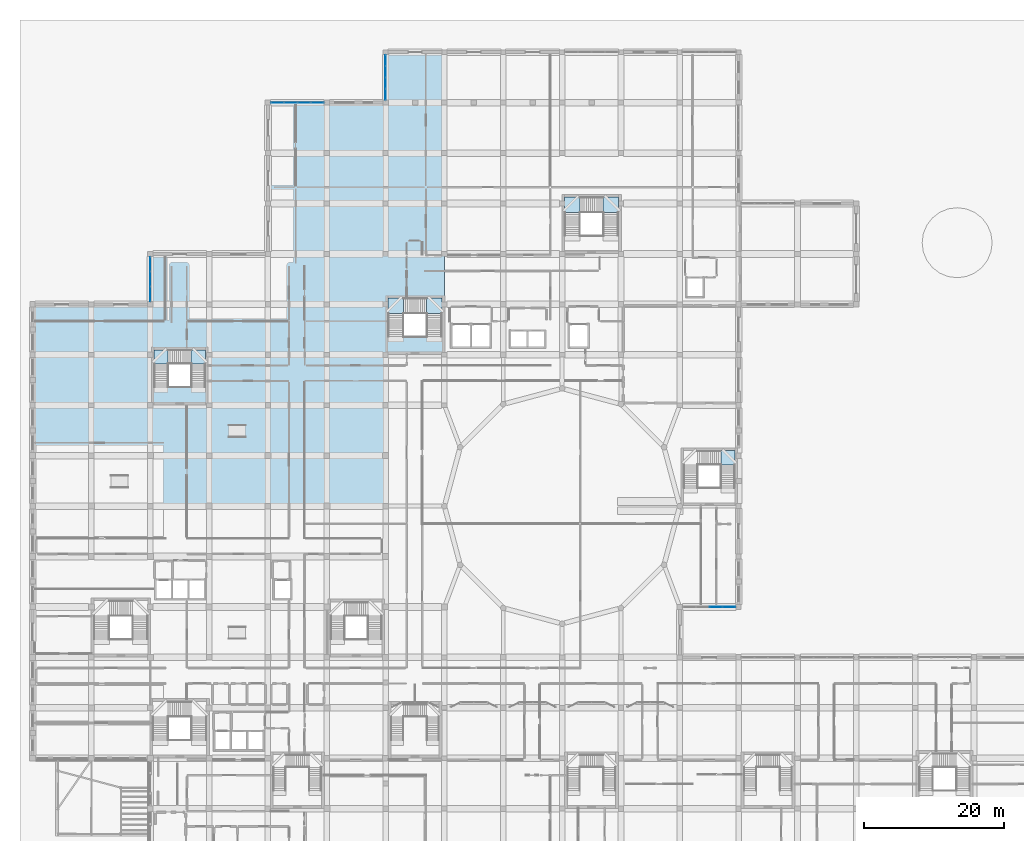
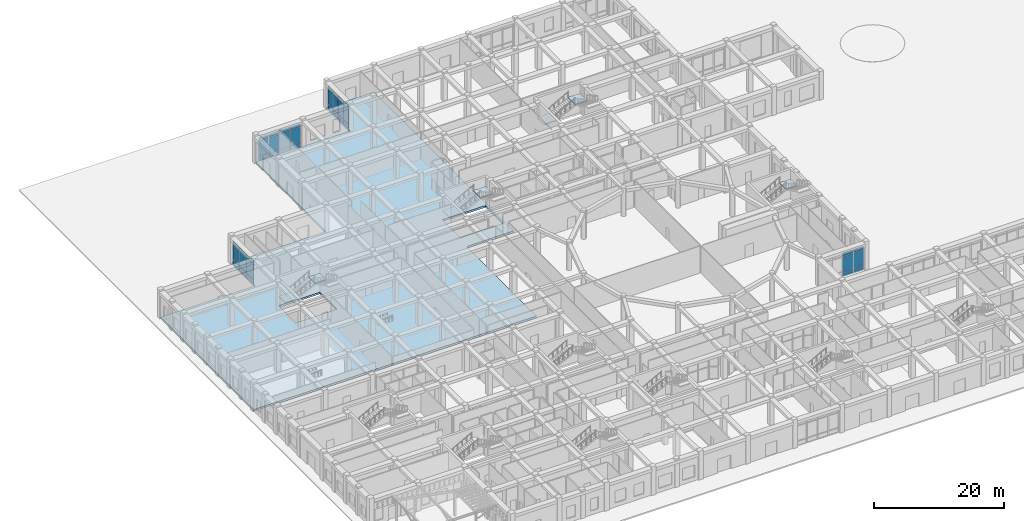
# One storey, part 55 of 84: 39 plates, 8 slabs, 8 elements without a shape of their own.
"""IFC4 building model written with IfcOpenShell, lengths in metres."""

from ifc_helpers import new_model, si_unit, derived_unit, direction, frame, origin, origin_2d, place, context, subcontext, project, spatial, polyline, rectangle, outline, extrude, material, layer, layer_set, type_object, element, aggregate, save


model = new_model("IFC4")

# Units and contexts
model_context = context("Model", 3, precision=1e-05, world=origin(), true_north=direction((0.0, 1.0)))
body_context = subcontext(model_context, "Body", "Model", "MODEL_VIEW")
ifc_project = project(units=[si_unit("LENGTHUNIT", "METRE"), si_unit("AREAUNIT", "SQUARE_METRE"), si_unit("VOLUMEUNIT", "CUBIC_METRE"), si_unit("PLANEANGLEUNIT", "RADIAN"), si_unit("MASSUNIT", "GRAM", prefix="KILO"), derived_unit("THERMALTRANSMITTANCEUNIT", [(si_unit("POWERUNIT", "WATT"), 1), (si_unit("LENGTHUNIT", "METRE"), -2), (si_unit("THERMODYNAMICTEMPERATUREUNIT", "KELVIN"), -1)])], contexts=[model_context])

# Site, building, storey
site_placement = place(None, origin())
site = spatial("IfcSite", under=ifc_project, at=site_placement, CompositionType="ELEMENT")
building_placement = place(site_placement, origin())
building = spatial("IfcBuilding", under=site, at=building_placement, Name="Veybourne Emporium", CompositionType="ELEMENT")
storey_placement = place(building_placement, origin())
storey = spatial("IfcBuildingStorey", under=building, at=storey_placement, Name="L00", CompositionType="ELEMENT", Elevation=0.0)

# Curtain wall, plates
ifc_material_1 = material(Name="Patinated Architectural Bronze", Category="bronze")
curtain_wall_type_1 = type_object("IfcCurtainWallType", Name="CWSystem_CWS-01", PredefinedType="NOTDEFINED", material=ifc_material_1)
curtain_wall_1_placement = place(storey_placement, origin())
curtain_wall_1 = element("IfcCurtainWall", 1, at=curtain_wall_1_placement, inside=storey, type_object=curtain_wall_type_1, Name="L00 bronze glazed curtain wall CWS-01 (018)", PredefinedType="NOTDEFINED")
ifc_material_2 = material(Name="Solar Control Laminated Glass", Category="glass")
ifc_layer_1 = layer(ifc_material_2, 0.035888671875)
ifc_layer_set_1 = layer_set([ifc_layer_1], Name="Solar Control Laminated Glass")
plate_type = type_object("IfcPlateType", Name="CWPanel_CW-P2", PredefinedType="CURTAIN_PANEL", material=ifc_layer_set_1)
plate_1_placement = place(storey_placement, frame((16.800048828125, 80.66796875, 0.072021484375), z_axis=(0.0, 0.0, 1.0), x_axis=(0.0, 1.0, 0.0)))
plate_1 = element("IfcPlate", 2, at=plate_1_placement, type_object=plate_type, Name="CWS-01 panel 1.1", PredefinedType="CURTAIN_PANEL", context=body_context, shape_type="SweptSolid", body=[
    extrude(rectangle(XDim=2.0419921875, YDim=0.035888671875, at=origin_2d()), origin(), (0.0, 0.0, 1.0), 0.7919921875),
])
plate_2_placement = place(storey_placement, frame((16.800048828125, 80.66796875, 0.93603515625), z_axis=(0.0, 0.0, 1.0), x_axis=(0.0, 1.0, 0.0)))
plate_2 = element("IfcPlate", 3, at=plate_2_placement, type_object=plate_type, Name="CWS-01 panel 1.2", PredefinedType="CURTAIN_PANEL", context=body_context, shape_type="SweptSolid", body=[
    extrude(rectangle(XDim=2.0419921875, YDim=0.035888671875, at=origin_2d()), origin(), (0.0, 0.0, 1.0), 2.80810546875),
])
plate_3_placement = place(storey_placement, frame((16.800048828125, 80.66796875, 3.81591796875), z_axis=(0.0, 0.0, 1.0), x_axis=(0.0, 1.0, 0.0)))
plate_3 = element("IfcPlate", 4, at=plate_3_placement, type_object=plate_type, Name="CWS-01 panel 1.3", PredefinedType="CURTAIN_PANEL", context=body_context, shape_type="SweptSolid", body=[
    extrude(rectangle(XDim=2.0419921875, YDim=0.035888671875, at=origin_2d()), origin(), (0.0, 0.0, 1.0), 0.64208984375),
])
plate_4_placement = place(storey_placement, frame((16.800048828125, 82.800048828125, 0.072021484375), z_axis=(0.0, 0.0, 1.0), x_axis=(0.0, 1.0, 0.0)))
plate_4 = element("IfcPlate", 5, at=plate_4_placement, type_object=plate_type, Name="CWS-01 panel 2.1", PredefinedType="CURTAIN_PANEL", context=body_context, shape_type="SweptSolid", body=[
    extrude(rectangle(XDim=2.077880859375, YDim=0.035888671875, at=origin_2d()), origin(), (0.0, 0.0, 1.0), 0.7919921875),
])
plate_5_placement = place(storey_placement, frame((16.800048828125, 82.800048828125, 0.93603515625), z_axis=(0.0, 0.0, 1.0), x_axis=(0.0, 1.0, 0.0)))
plate_5 = element("IfcPlate", 6, at=plate_5_placement, type_object=plate_type, Name="CWS-01 panel 2.2", PredefinedType="CURTAIN_PANEL", context=body_context, shape_type="SweptSolid", body=[
    extrude(rectangle(XDim=2.077880859375, YDim=0.035888671875, at=origin_2d()), origin(), (0.0, 0.0, 1.0), 2.80810546875),
])
plate_6_placement = place(storey_placement, frame((16.800048828125, 82.800048828125, 3.81591796875), z_axis=(0.0, 0.0, 1.0), x_axis=(0.0, 1.0, 0.0)))
plate_6 = element("IfcPlate", 7, at=plate_6_placement, type_object=plate_type, Name="CWS-01 panel 2.3", PredefinedType="CURTAIN_PANEL", context=body_context, shape_type="SweptSolid", body=[
    extrude(rectangle(XDim=2.077880859375, YDim=0.035888671875, at=origin_2d()), origin(), (0.0, 0.0, 1.0), 0.64208984375),
])
plate_7_placement = place(storey_placement, frame((16.800048828125, 84.931884765625, 0.072021484375), z_axis=(0.0, 0.0, 1.0), x_axis=(0.0, 1.0, 0.0)))
plate_7 = element("IfcPlate", 8, at=plate_7_placement, type_object=plate_type, Name="CWS-01 panel 3.1", PredefinedType="CURTAIN_PANEL", context=body_context, shape_type="SweptSolid", body=[
    extrude(rectangle(XDim=2.0419921875, YDim=0.035888671875, at=origin_2d()), origin(), (0.0, 0.0, 1.0), 0.7919921875),
])
plate_8_placement = place(storey_placement, frame((16.800048828125, 84.931884765625, 0.93603515625), z_axis=(0.0, 0.0, 1.0), x_axis=(0.0, 1.0, 0.0)))
plate_8 = element("IfcPlate", 9, at=plate_8_placement, type_object=plate_type, Name="CWS-01 panel 3.2", PredefinedType="CURTAIN_PANEL", context=body_context, shape_type="SweptSolid", body=[
    extrude(rectangle(XDim=2.0419921875, YDim=0.035888671875, at=origin_2d()), origin(), (0.0, 0.0, 1.0), 2.80810546875),
])
plate_9_placement = place(storey_placement, frame((16.800048828125, 84.931884765625, 3.81591796875), z_axis=(0.0, 0.0, 1.0), x_axis=(0.0, 1.0, 0.0)))
plate_9 = element("IfcPlate", 10, at=plate_9_placement, type_object=plate_type, Name="CWS-01 panel 3.3", PredefinedType="CURTAIN_PANEL", context=body_context, shape_type="SweptSolid", body=[
    extrude(rectangle(XDim=2.0419921875, YDim=0.035888671875, at=origin_2d()), origin(), (0.0, 0.0, 1.0), 0.64208984375),
])
aggregate(curtain_wall_1, [plate_1, plate_2, plate_3, plate_4, plate_5, plate_6, plate_7, plate_8, plate_9])

curtain_wall_type_2 = type_object("IfcCurtainWallType", Name="CWSystem_CWS-02", PredefinedType="NOTDEFINED", material=ifc_material_1)
curtain_wall_2_placement = place(storey_placement, origin())
curtain_wall_2 = element("IfcCurtainWall", 11, at=curtain_wall_2_placement, inside=storey, type_object=curtain_wall_type_2, Name="L00 bronze glazed curtain wall CWS-02 (024)", PredefinedType="NOTDEFINED")
plate_10_placement = place(storey_placement, frame((34.961181640625, 108.0, 0.074951171875), z_axis=(0.0, 0.0, 1.0), x_axis=(1.0, 0.0, 0.0)))
plate_10 = element("IfcPlate", 12, at=plate_10_placement, type_object=plate_type, Name="CWS-02 panel 1.1", PredefinedType="CURTAIN_PANEL", context=body_context, shape_type="SweptSolid", body=[
    extrude(rectangle(XDim=1.79248046875, YDim=0.035888671875, at=origin_2d()), origin(), (0.0, 0.0, 1.0), 0.78759765625),
])
plate_11_placement = place(storey_placement, frame((34.961181640625, 108.0, 0.9375), z_axis=(0.0, 0.0, 1.0), x_axis=(1.0, 0.0, 0.0)))
plate_11 = element("IfcPlate", 13, at=plate_11_placement, type_object=plate_type, Name="CWS-02 panel 1.2", PredefinedType="CURTAIN_PANEL", context=body_context, shape_type="SweptSolid", body=[
    extrude(rectangle(XDim=1.79248046875, YDim=0.035888671875, at=origin_2d()), origin(), (0.0, 0.0, 1.0), 2.804931640625),
])
plate_12_placement = place(storey_placement, frame((34.961181640625, 108.0, 3.8173828125), z_axis=(0.0, 0.0, 1.0), x_axis=(1.0, 0.0, 0.0)))
plate_12 = element("IfcPlate", 14, at=plate_12_placement, type_object=plate_type, Name="CWS-02 panel 1.3", PredefinedType="CURTAIN_PANEL", context=body_context, shape_type="SweptSolid", body=[
    extrude(rectangle(XDim=1.79248046875, YDim=0.035888671875, at=origin_2d()), origin(), (0.0, 0.0, 1.0), 0.637451171875),
])
plate_13_placement = place(storey_placement, frame((36.847412109375, 108.0, 0.074951171875), z_axis=(0.0, 0.0, 1.0), x_axis=(1.0, 0.0, 0.0)))
plate_13 = element("IfcPlate", 15, at=plate_13_placement, type_object=plate_type, Name="CWS-02 panel 2.1", PredefinedType="CURTAIN_PANEL", context=body_context, shape_type="SweptSolid", body=[
    extrude(rectangle(XDim=1.830078125, YDim=0.035888671875, at=origin_2d()), origin(), (0.0, 0.0, 1.0), 0.78759765625),
])
plate_14_placement = place(storey_placement, frame((36.847412109375, 108.0, 0.9375), z_axis=(0.0, 0.0, 1.0), x_axis=(1.0, 0.0, 0.0)))
plate_14 = element("IfcPlate", 16, at=plate_14_placement, type_object=plate_type, Name="CWS-02 panel 2.2", PredefinedType="CURTAIN_PANEL", context=body_context, shape_type="SweptSolid", body=[
    extrude(rectangle(XDim=1.830078125, YDim=0.035888671875, at=origin_2d()), origin(), (0.0, 0.0, 1.0), 2.804931640625),
])
plate_15_placement = place(storey_placement, frame((36.847412109375, 108.0, 3.8173828125), z_axis=(0.0, 0.0, 1.0), x_axis=(1.0, 0.0, 0.0)))
plate_15 = element("IfcPlate", 17, at=plate_15_placement, type_object=plate_type, Name="CWS-02 panel 2.3", PredefinedType="CURTAIN_PANEL", context=body_context, shape_type="SweptSolid", body=[
    extrude(rectangle(XDim=1.830078125, YDim=0.035888671875, at=origin_2d()), origin(), (0.0, 0.0, 1.0), 0.637451171875),
])
plate_16_placement = place(storey_placement, frame((38.75244140625, 108.0, 0.074951171875), z_axis=(0.0, 0.0, 1.0), x_axis=(1.0, 0.0, 0.0)))
plate_16 = element("IfcPlate", 18, at=plate_16_placement, type_object=plate_type, Name="CWS-02 panel 3.1", PredefinedType="CURTAIN_PANEL", context=body_context, shape_type="SweptSolid", body=[
    extrude(rectangle(XDim=1.830078125, YDim=0.035888671875, at=origin_2d()), origin(), (0.0, 0.0, 1.0), 0.78759765625),
])
plate_17_placement = place(storey_placement, frame((38.75244140625, 108.0, 0.9375), z_axis=(0.0, 0.0, 1.0), x_axis=(1.0, 0.0, 0.0)))
plate_17 = element("IfcPlate", 19, at=plate_17_placement, type_object=plate_type, Name="CWS-02 panel 3.2", PredefinedType="CURTAIN_PANEL", context=body_context, shape_type="SweptSolid", body=[
    extrude(rectangle(XDim=1.830078125, YDim=0.035888671875, at=origin_2d()), origin(), (0.0, 0.0, 1.0), 2.804931640625),
])
plate_18_placement = place(storey_placement, frame((38.75244140625, 108.0, 3.8173828125), z_axis=(0.0, 0.0, 1.0), x_axis=(1.0, 0.0, 0.0)))
plate_18 = element("IfcPlate", 20, at=plate_18_placement, type_object=plate_type, Name="CWS-02 panel 3.3", PredefinedType="CURTAIN_PANEL", context=body_context, shape_type="SweptSolid", body=[
    extrude(rectangle(XDim=1.830078125, YDim=0.035888671875, at=origin_2d()), origin(), (0.0, 0.0, 1.0), 0.637451171875),
])
plate_19_placement = place(storey_placement, frame((40.638671875, 108.0, 0.074951171875), z_axis=(0.0, 0.0, 1.0), x_axis=(1.0, 0.0, 0.0)))
plate_19 = element("IfcPlate", 21, at=plate_19_placement, type_object=plate_type, Name="CWS-02 panel 4.1", PredefinedType="CURTAIN_PANEL", context=body_context, shape_type="SweptSolid", body=[
    extrude(rectangle(XDim=1.79248046875, YDim=0.035888671875, at=origin_2d()), origin(), (0.0, 0.0, 1.0), 0.78759765625),
])
plate_20_placement = place(storey_placement, frame((40.638671875, 108.0, 0.9375), z_axis=(0.0, 0.0, 1.0), x_axis=(1.0, 0.0, 0.0)))
plate_20 = element("IfcPlate", 22, at=plate_20_placement, type_object=plate_type, Name="CWS-02 panel 4.2", PredefinedType="CURTAIN_PANEL", context=body_context, shape_type="SweptSolid", body=[
    extrude(rectangle(XDim=1.79248046875, YDim=0.035888671875, at=origin_2d()), origin(), (0.0, 0.0, 1.0), 2.804931640625),
])
plate_21_placement = place(storey_placement, frame((40.638671875, 108.0, 3.8173828125), z_axis=(0.0, 0.0, 1.0), x_axis=(1.0, 0.0, 0.0)))
plate_21 = element("IfcPlate", 23, at=plate_21_placement, type_object=plate_type, Name="CWS-02 panel 4.3", PredefinedType="CURTAIN_PANEL", context=body_context, shape_type="SweptSolid", body=[
    extrude(rectangle(XDim=1.79248046875, YDim=0.035888671875, at=origin_2d()), origin(), (0.0, 0.0, 1.0), 0.637451171875),
])
aggregate(curtain_wall_2, [plate_10, plate_11, plate_12, plate_13, plate_14, plate_15, plate_16, plate_17, plate_18, plate_19, plate_20, plate_21])

curtain_wall_type_3 = type_object("IfcCurtainWallType", Name="CWSystem_CWS-03", PredefinedType="NOTDEFINED", material=ifc_material_1)
curtain_wall_3_placement = place(storey_placement, origin())
curtain_wall_3 = element("IfcCurtainWall", 24, at=curtain_wall_3_placement, inside=storey, type_object=curtain_wall_type_3, Name="L00 bronze glazed curtain wall CWS-03 (030)", PredefinedType="NOTDEFINED")
plate_22_placement = place(storey_placement, frame((50.39990234375, 109.190673828125, 0.078125), z_axis=(0.0, 0.0, 1.0), x_axis=(0.0, 1.0, 0.0)))
plate_22 = element("IfcPlate", 25, at=plate_22_placement, type_object=plate_type, Name="CWS-03 panel 1.1", PredefinedType="CURTAIN_PANEL", context=body_context, shape_type="SweptSolid", body=[
    extrude(rectangle(XDim=1.505615234375, YDim=0.035888671875, at=origin_2d()), origin(), (0.0, 0.0, 1.0), 0.782958984375),
])
plate_23_placement = place(storey_placement, frame((50.39990234375, 109.190673828125, 0.93896484375), z_axis=(0.0, 0.0, 1.0), x_axis=(0.0, 1.0, 0.0)))
plate_23 = element("IfcPlate", 26, at=plate_23_placement, type_object=plate_type, Name="CWS-03 panel 1.2", PredefinedType="CURTAIN_PANEL", context=body_context, shape_type="SweptSolid", body=[
    extrude(rectangle(XDim=1.505615234375, YDim=0.035888671875, at=origin_2d()), origin(), (0.0, 0.0, 1.0), 2.802001953125),
])
plate_24_placement = place(storey_placement, frame((50.39990234375, 109.190673828125, 3.81884765625), z_axis=(0.0, 0.0, 1.0), x_axis=(0.0, 1.0, 0.0)))
plate_24 = element("IfcPlate", 27, at=plate_24_placement, type_object=plate_type, Name="CWS-03 panel 1.3", PredefinedType="CURTAIN_PANEL", context=body_context, shape_type="SweptSolid", body=[
    extrude(rectangle(XDim=1.505615234375, YDim=0.035888671875, at=origin_2d()), origin(), (0.0, 0.0, 1.0), 0.633056640625),
])
plate_25_placement = place(storey_placement, frame((50.39990234375, 110.793701171875, 0.078125), z_axis=(0.0, 0.0, 1.0), x_axis=(0.0, 1.0, 0.0)))
plate_25 = element("IfcPlate", 28, at=plate_25_placement, type_object=plate_type, Name="CWS-03 panel 2.1", PredefinedType="CURTAIN_PANEL", context=body_context, shape_type="SweptSolid", body=[
    extrude(rectangle(XDim=1.54443359375, YDim=0.035888671875, at=origin_2d()), origin(), (0.0, 0.0, 1.0), 0.782958984375),
])
plate_26_placement = place(storey_placement, frame((50.39990234375, 110.793701171875, 0.93896484375), z_axis=(0.0, 0.0, 1.0), x_axis=(0.0, 1.0, 0.0)))
plate_26 = element("IfcPlate", 29, at=plate_26_placement, type_object=plate_type, Name="CWS-03 panel 2.2", PredefinedType="CURTAIN_PANEL", context=body_context, shape_type="SweptSolid", body=[
    extrude(rectangle(XDim=1.54443359375, YDim=0.035888671875, at=origin_2d()), origin(), (0.0, 0.0, 1.0), 2.802001953125),
])
plate_27_placement = place(storey_placement, frame((50.39990234375, 110.793701171875, 3.81884765625), z_axis=(0.0, 0.0, 1.0), x_axis=(0.0, 1.0, 0.0)))
plate_27 = element("IfcPlate", 30, at=plate_27_placement, type_object=plate_type, Name="CWS-03 panel 2.3", PredefinedType="CURTAIN_PANEL", context=body_context, shape_type="SweptSolid", body=[
    extrude(rectangle(XDim=1.54443359375, YDim=0.035888671875, at=origin_2d()), origin(), (0.0, 0.0, 1.0), 0.633056640625),
])
plate_28_placement = place(storey_placement, frame((50.39990234375, 112.416259765625, 0.078125), z_axis=(0.0, 0.0, 1.0), x_axis=(0.0, 1.0, 0.0)))
plate_28 = element("IfcPlate", 31, at=plate_28_placement, type_object=plate_type, Name="CWS-03 panel 3.1", PredefinedType="CURTAIN_PANEL", context=body_context, shape_type="SweptSolid", body=[
    extrude(rectangle(XDim=1.54443359375, YDim=0.035888671875, at=origin_2d()), origin(), (0.0, 0.0, 1.0), 0.782958984375),
])
plate_29_placement = place(storey_placement, frame((50.39990234375, 112.416259765625, 0.93896484375), z_axis=(0.0, 0.0, 1.0), x_axis=(0.0, 1.0, 0.0)))
plate_29 = element("IfcPlate", 32, at=plate_29_placement, type_object=plate_type, Name="CWS-03 panel 3.2", PredefinedType="CURTAIN_PANEL", context=body_context, shape_type="SweptSolid", body=[
    extrude(rectangle(XDim=1.54443359375, YDim=0.035888671875, at=origin_2d()), origin(), (0.0, 0.0, 1.0), 2.802001953125),
])
plate_30_placement = place(storey_placement, frame((50.39990234375, 112.416259765625, 3.81884765625), z_axis=(0.0, 0.0, 1.0), x_axis=(0.0, 1.0, 0.0)))
plate_30 = element("IfcPlate", 33, at=plate_30_placement, type_object=plate_type, Name="CWS-03 panel 3.3", PredefinedType="CURTAIN_PANEL", context=body_context, shape_type="SweptSolid", body=[
    extrude(rectangle(XDim=1.54443359375, YDim=0.035888671875, at=origin_2d()), origin(), (0.0, 0.0, 1.0), 0.633056640625),
])
plate_31_placement = place(storey_placement, frame((50.39990234375, 114.019287109375, 0.078125), z_axis=(0.0, 0.0, 1.0), x_axis=(0.0, 1.0, 0.0)))
plate_31 = element("IfcPlate", 34, at=plate_31_placement, type_object=plate_type, Name="CWS-03 panel 4.1", PredefinedType="CURTAIN_PANEL", context=body_context, shape_type="SweptSolid", body=[
    extrude(rectangle(XDim=1.505615234375, YDim=0.035888671875, at=origin_2d()), origin(), (0.0, 0.0, 1.0), 0.782958984375),
])
plate_32_placement = place(storey_placement, frame((50.39990234375, 114.019287109375, 0.93896484375), z_axis=(0.0, 0.0, 1.0), x_axis=(0.0, 1.0, 0.0)))
plate_32 = element("IfcPlate", 35, at=plate_32_placement, type_object=plate_type, Name="CWS-03 panel 4.2", PredefinedType="CURTAIN_PANEL", context=body_context, shape_type="SweptSolid", body=[
    extrude(rectangle(XDim=1.505615234375, YDim=0.035888671875, at=origin_2d()), origin(), (0.0, 0.0, 1.0), 2.802001953125),
])
plate_33_placement = place(storey_placement, frame((50.39990234375, 114.019287109375, 3.81884765625), z_axis=(0.0, 0.0, 1.0), x_axis=(0.0, 1.0, 0.0)))
plate_33 = element("IfcPlate", 36, at=plate_33_placement, type_object=plate_type, Name="CWS-03 panel 4.3", PredefinedType="CURTAIN_PANEL", context=body_context, shape_type="SweptSolid", body=[
    extrude(rectangle(XDim=1.505615234375, YDim=0.035888671875, at=origin_2d()), origin(), (0.0, 0.0, 1.0), 0.633056640625),
])
aggregate(curtain_wall_3, [plate_22, plate_23, plate_24, plate_25, plate_26, plate_27, plate_28, plate_29, plate_30, plate_31, plate_32, plate_33])

curtain_wall_type_4 = type_object("IfcCurtainWallType", Name="CWSystem_CWS-06", PredefinedType="NOTDEFINED", material=ifc_material_1)
curtain_wall_4_placement = place(storey_placement, origin())
curtain_wall_4 = element("IfcCurtainWall", 37, at=curtain_wall_4_placement, inside=storey, type_object=curtain_wall_type_4, Name="L00 bronze glazed curtain wall CWS-06 (042)", PredefinedType="NOTDEFINED")
plate_34_placement = place(storey_placement, frame((99.453125, 36.0, 0.074951171875), z_axis=(0.0, 0.0, 1.0), x_axis=(-1.0, 0.0, 0.0)))
plate_34 = element("IfcPlate", 38, at=plate_34_placement, type_object=plate_type, Name="CWS-06 panel 1.1", PredefinedType="CURTAIN_PANEL", context=body_context, shape_type="SweptSolid", body=[
    extrude(rectangle(XDim=1.793701171875, YDim=0.035888671875, at=origin_2d()), origin(), (0.0, 0.0, 1.0), 0.78759765625),
])
plate_35_placement = place(storey_placement, frame((99.453125, 36.0, 0.9375), z_axis=(0.0, 0.0, 1.0), x_axis=(-1.0, 0.0, 0.0)))
plate_35 = element("IfcPlate", 39, at=plate_35_placement, type_object=plate_type, Name="CWS-06 panel 1.2", PredefinedType="CURTAIN_PANEL", context=body_context, shape_type="SweptSolid", body=[
    extrude(rectangle(XDim=1.793701171875, YDim=0.035888671875, at=origin_2d()), origin(), (0.0, 0.0, 1.0), 2.804931640625),
])
plate_36_placement = place(storey_placement, frame((99.453125, 36.0, 3.8173828125), z_axis=(0.0, 0.0, 1.0), x_axis=(-1.0, 0.0, 0.0)))
plate_36 = element("IfcPlate", 40, at=plate_36_placement, type_object=plate_type, Name="CWS-06 panel 1.3", PredefinedType="CURTAIN_PANEL", context=body_context, shape_type="SweptSolid", body=[
    extrude(rectangle(XDim=1.793701171875, YDim=0.035888671875, at=origin_2d()), origin(), (0.0, 0.0, 1.0), 0.637451171875),
])
plate_37_placement = place(storey_placement, frame((97.565673828125, 36.0, 0.074951171875), z_axis=(0.0, 0.0, 1.0), x_axis=(-1.0, 0.0, 0.0)))
plate_37 = element("IfcPlate", 41, at=plate_37_placement, type_object=plate_type, Name="CWS-06 panel 2.1", PredefinedType="CURTAIN_PANEL", context=body_context, shape_type="SweptSolid", body=[
    extrude(rectangle(XDim=1.831298828125, YDim=0.035888671875, at=origin_2d()), origin(), (0.0, 0.0, 1.0), 0.78759765625),
])
plate_38_placement = place(storey_placement, frame((97.565673828125, 36.0, 0.9375), z_axis=(0.0, 0.0, 1.0), x_axis=(-1.0, 0.0, 0.0)))
plate_38 = element("IfcPlate", 42, at=plate_38_placement, type_object=plate_type, Name="CWS-06 panel 2.2", PredefinedType="CURTAIN_PANEL", context=body_context, shape_type="SweptSolid", body=[
    extrude(rectangle(XDim=1.831298828125, YDim=0.035888671875, at=origin_2d()), origin(), (0.0, 0.0, 1.0), 2.804931640625),
])
plate_39_placement = place(storey_placement, frame((97.565673828125, 36.0, 3.8173828125), z_axis=(0.0, 0.0, 1.0), x_axis=(-1.0, 0.0, 0.0)))
plate_39 = element("IfcPlate", 43, at=plate_39_placement, type_object=plate_type, Name="CWS-06 panel 2.3", PredefinedType="CURTAIN_PANEL", context=body_context, shape_type="SweptSolid", body=[
    extrude(rectangle(XDim=1.831298828125, YDim=0.035888671875, at=origin_2d()), origin(), (0.0, 0.0, 1.0), 0.637451171875),
])
aggregate(curtain_wall_4, [plate_34, plate_35, plate_36, plate_37, plate_38, plate_39])

# Stair, slabs
ifc_material_3 = material(Name="Concrete C32/40", Category="concrete")
stair_type_1 = type_object("IfcStairType", Name="Stair_ST-03-R36", PredefinedType="TWO_QUARTER_TURN_STAIR", material=ifc_material_3)
stair_1_placement = place(storey_placement, origin())
stair_1 = element("IfcStair", 44, at=stair_1_placement, inside=storey, type_object=stair_type_1, Name="L00 stair ST-03", PredefinedType="TWO_QUARTER_TURN_STAIR")
ifc_layer_2 = layer(ifc_material_3, 0.199951171875)
ifc_layer_set_2 = layer_set([ifc_layer_2], Name="Concrete C32/40")
slab_type_1 = type_object("IfcSlabType", Name="Landing_LDG-01", PredefinedType="LANDING", material=ifc_layer_set_2)
slab_1_placement = place(storey_placement, frame((0.0, 0.0, 1.60009765625)))
slab_1 = element("IfcSlab", 45, at=slab_1_placement, type_object=slab_type_1, Name="ST-03-R36 landing 1", PredefinedType="LANDING", context=body_context, shape_type="SweptSolid", body=[
    extrude(outline(polyline([(50.75, 77.89990234375), (52.949951171875, 77.89990234375), (52.949951171875, 80.10009765625), (50.75, 80.10009765625), (50.75, 77.89990234375)])), origin(), (0.0, 0.0, 1.0), 0.199951171875),
])
slab_2_placement = place(storey_placement, frame((0.0, 0.0, 3.39990234375)))
slab_2 = element("IfcSlab", 46, at=slab_2_placement, type_object=slab_type_1, Name="ST-03-R36 landing 2", PredefinedType="LANDING", context=body_context, shape_type="SweptSolid", body=[
    extrude(outline(polyline([(56.25, 77.89990234375), (58.449951171875, 77.89990234375), (58.449951171875, 80.10009765625), (56.25, 80.10009765625), (56.25, 77.89990234375)])), origin(), (0.0, 0.0, 1.0), 0.2001953125),
])
aggregate(stair_1, [slab_1, slab_2])

stair_type_2 = type_object("IfcStairType", Name="Stair_ST-04-R36", PredefinedType="TWO_QUARTER_TURN_STAIR", material=ifc_material_3)
stair_2_placement = place(storey_placement, origin())
stair_2 = element("IfcStair", 47, at=stair_2_placement, inside=storey, type_object=stair_type_2, Name="L00 stair ST-04", PredefinedType="TWO_QUARTER_TURN_STAIR")
slab_3_placement = place(storey_placement, frame((0.0, 0.0, 1.60009765625)))
slab_3 = element("IfcSlab", 48, at=slab_3_placement, type_object=slab_type_1, Name="ST-04-R36 landing 1", PredefinedType="LANDING", context=body_context, shape_type="SweptSolid", body=[
    extrude(outline(polyline([(75.949951171875, 92.300048828125), (78.14990234375, 92.300048828125), (78.14990234375, 94.5), (75.949951171875, 94.5), (75.949951171875, 92.300048828125)])), origin(), (0.0, 0.0, 1.0), 0.199951171875),
])
slab_4_placement = place(storey_placement, frame((0.0, 0.0, 3.39990234375)))
slab_4 = element("IfcSlab", 49, at=slab_4_placement, type_object=slab_type_1, Name="ST-04-R36 landing 2", PredefinedType="LANDING", context=body_context, shape_type="SweptSolid", body=[
    extrude(outline(polyline([(81.449951171875, 92.300048828125), (83.64990234375, 92.300048828125), (83.64990234375, 94.5), (81.449951171875, 94.5), (81.449951171875, 92.300048828125)])), origin(), (0.0, 0.0, 1.0), 0.2001953125),
])
aggregate(stair_2, [slab_3, slab_4])

# Stair, slab
stair_type_3 = type_object("IfcStairType", Name="Stair_ST-07-R36", PredefinedType="TWO_QUARTER_TURN_STAIR", material=ifc_material_3)
stair_3_placement = place(storey_placement, origin())
stair_3 = element("IfcStair", 50, at=stair_3_placement, inside=storey, type_object=stair_type_3, Name="L00 stair ST-07", PredefinedType="TWO_QUARTER_TURN_STAIR")
slab_5_placement = place(storey_placement, frame((0.0, 0.0, 3.39990234375)))
slab_5 = element("IfcSlab", 51, at=slab_5_placement, type_object=slab_type_1, Name="ST-07-R36 landing 2", PredefinedType="LANDING", context=body_context, shape_type="SweptSolid", body=[
    extrude(outline(polyline([(98.25, 56.300048828125), (100.25, 56.300048828125), (100.25, 58.300048828125), (98.25, 58.300048828125), (98.25, 56.300048828125)])), origin(), (0.0, 0.0, 1.0), 0.2001953125),
])
aggregate(stair_3, [slab_5])

# Stair, slabs
stair_type_4 = type_object("IfcStairType", Name="Stair_ST-08-R36", PredefinedType="TWO_QUARTER_TURN_STAIR", material=ifc_material_3)
stair_4_placement = place(storey_placement, origin())
stair_4 = element("IfcStair", 52, at=stair_4_placement, inside=storey, type_object=stair_type_4, Name="L00 stair ST-08", PredefinedType="TWO_QUARTER_TURN_STAIR")
slab_6_placement = place(storey_placement, frame((0.0, 0.0, 1.60009765625)))
slab_6 = element("IfcSlab", 53, at=slab_6_placement, type_object=slab_type_1, Name="ST-08-R36 landing 1", PredefinedType="LANDING", context=body_context, shape_type="SweptSolid", body=[
    extrude(outline(polyline([(17.35009765625, 70.699951171875), (19.35009765625, 70.699951171875), (19.35009765625, 72.699951171875), (17.35009765625, 72.699951171875), (17.35009765625, 70.699951171875)])), origin(), (0.0, 0.0, 1.0), 0.199951171875),
])
slab_7_placement = place(storey_placement, frame((0.0, 0.0, 3.39990234375)))
slab_7 = element("IfcSlab", 54, at=slab_7_placement, type_object=slab_type_1, Name="ST-08-R36 landing 2", PredefinedType="LANDING", context=body_context, shape_type="SweptSolid", body=[
    extrude(outline(polyline([(22.64990234375, 70.699951171875), (24.64990234375, 70.699951171875), (24.64990234375, 72.699951171875), (22.64990234375, 72.699951171875), (22.64990234375, 70.699951171875)])), origin(), (0.0, 0.0, 1.0), 0.2001953125),
])
aggregate(stair_4, [slab_6, slab_7])

# Slab
ifc_layer_3 = layer(ifc_material_3, 0.35009765625)
ifc_layer_set_3 = layer_set([ifc_layer_3], Name="Concrete C32/40")
slab_type_2 = type_object("IfcSlabType", Name="Slab_FS-01", PredefinedType="FLOOR", material=ifc_layer_set_3)
slab_8_placement = place(storey_placement, frame((0.0, 0.0, -0.35009765625)))
element("IfcSlab", 55, at=slab_8_placement, inside=storey, type_object=slab_type_2, Name="L00 floor slab FS-01 (V5W.1)", PredefinedType="FLOOR", context=body_context, shape_type="SweptSolid", body=[
    extrude(outline(polyline([(16.800048828125, 50.39990234375), (8.39990234375, 50.39990234375), (0.0, 50.39990234375), (0.0, 57.60009765625), (0.0, 64.800048828125), (0.0, 72.0), (0.0, 79.199951171875), (8.39990234375, 79.199951171875), (16.800048828125, 79.199951171875), (16.800048828125, 86.39990234375), (25.199951171875, 86.39990234375), (33.60009765625, 86.39990234375), (33.60009765625, 93.60009765625), (33.60009765625, 100.800048828125), (33.60009765625, 108.0), (42.0, 108.0), (50.39990234375, 108.0), (50.39990234375, 115.199951171875), (58.800048828125, 115.199951171875), (58.800048828125, 108.0), (58.800048828125, 100.800048828125), (58.800048828125, 93.60009765625), (58.800048828125, 86.39990234375), (58.800048828125, 79.199951171875), (58.800048828125, 72.0), (50.39990234375, 72.0), (50.39990234375, 64.800048828125), (50.39990234375, 57.60009765625), (50.39990234375, 50.39990234375), (42.0, 50.39990234375), (33.60009765625, 50.39990234375), (25.199951171875, 50.39990234375), (16.800048828125, 50.39990234375)]), holes=[polyline([(24.64990234375, 67.39990234375), (24.64990234375, 72.699951171875), (17.35009765625, 72.699951171875), (17.35009765625, 67.39990234375), (24.64990234375, 67.39990234375)]), polyline([(58.449951171875, 74.60009765625), (58.449951171875, 80.10009765625), (50.75, 80.10009765625), (50.75, 74.60009765625), (58.449951171875, 74.60009765625)])]), origin(), (0.0, 0.0, 1.0), 0.35009765625),
])

save(model, "model.ifc")
